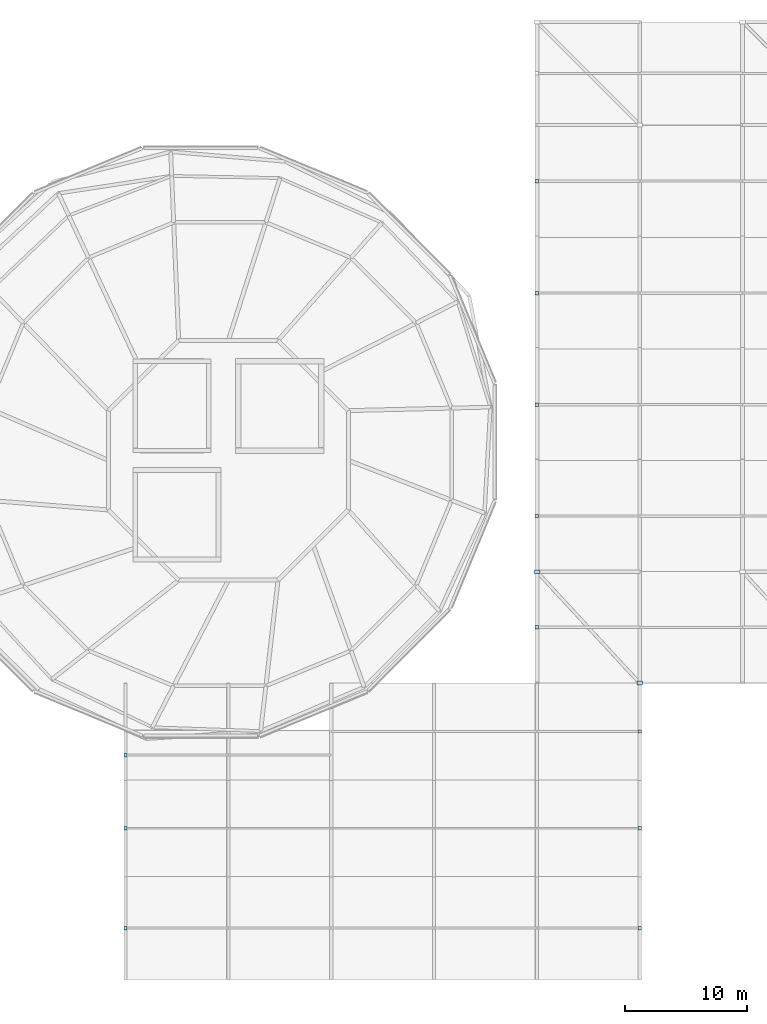
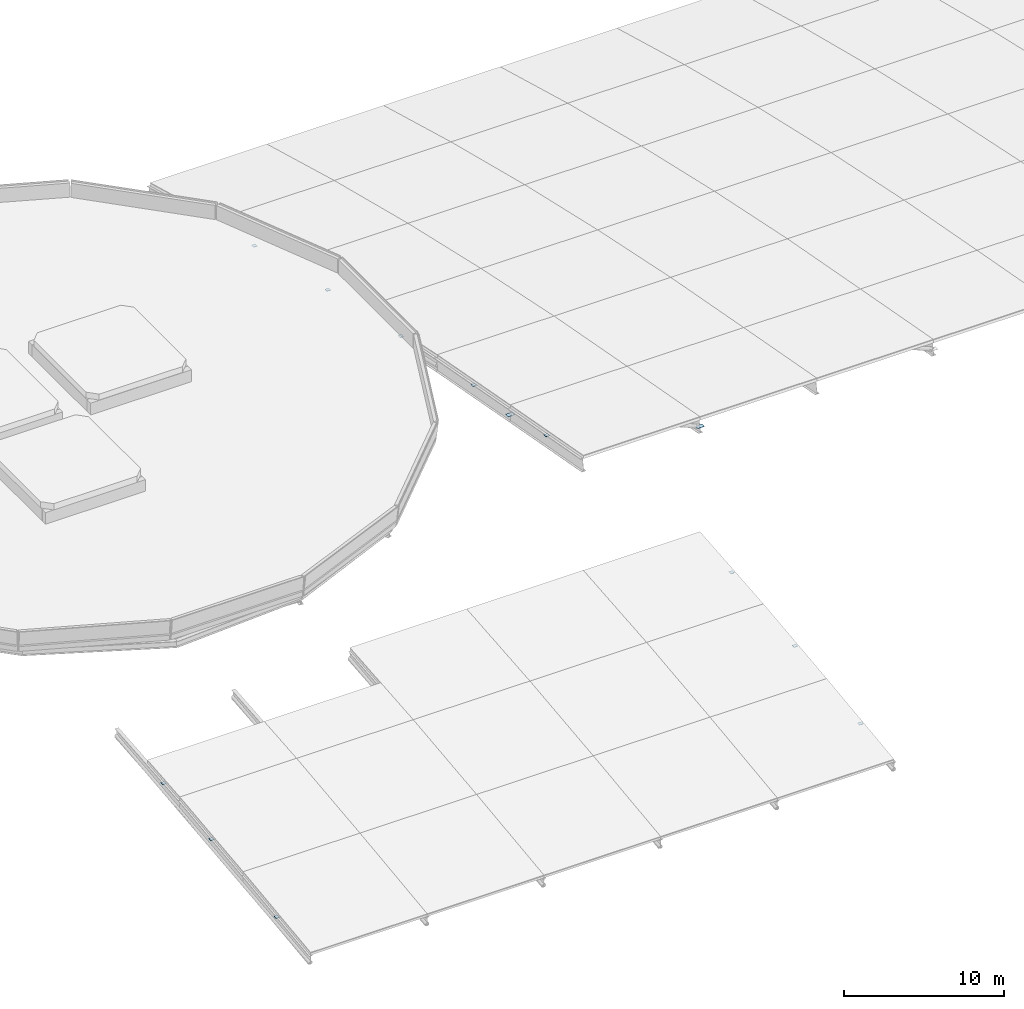
# One storey, part 7 of 12: 13 plates.
"""IFC4 building model written with IfcOpenShell, lengths in metres."""

from ifc_helpers import new_model, si_unit, derived_unit, direction, frame, origin, origin_2d, place, context, subcontext, project, spatial, rectangle, extrude, material, layer, layer_set, type_object, element, save


model = new_model("IFC4")

# Units and contexts
model_context = context("Model", 3, precision=1e-05, world=origin(), true_north=direction((0.0, 1.0)))
body_context = subcontext(model_context, "Body", "Model", "MODEL_VIEW")
ifc_project = project(units=[si_unit("LENGTHUNIT", "METRE"), si_unit("AREAUNIT", "SQUARE_METRE"), si_unit("VOLUMEUNIT", "CUBIC_METRE"), si_unit("PLANEANGLEUNIT", "RADIAN"), si_unit("MASSUNIT", "GRAM", prefix="KILO"), derived_unit("THERMALTRANSMITTANCEUNIT", [(si_unit("MASSUNIT", "GRAM", prefix="KILO"), 1), (si_unit("TIMEUNIT", "SECOND"), -3), (si_unit("THERMODYNAMICTEMPERATUREUNIT", "KELVIN"), -1)])], contexts=[model_context])

# Site, building, storey
site_placement = place(None, origin())
site = spatial("IfcSite", under=ifc_project, at=site_placement, CompositionType="ELEMENT")
building_placement = place(site_placement, origin())
building = spatial("IfcBuilding", under=site, at=building_placement, Name="Makaiwela Harbour Ferry Terminal", CompositionType="ELEMENT")
storey_placement = place(building_placement, frame((0.0, 0.0, 25.5)))
storey = spatial("IfcBuildingStorey", under=building, at=storey_placement, Name="ROOF", CompositionType="ELEMENT", Elevation=25.5)

# Plates
ifc_material = material(Name="Steel ASTM A572 Grade 50", Category="steel")
ifc_layer_1 = layer(ifc_material, 0.02001953125)
ifc_layer_set_1 = layer_set([ifc_layer_1], Name="Steel ASTM A572 Grade 50")
plate_type_1 = type_object("IfcPlateType", Name="STR-PLT-CAP1", PredefinedType="SHEET", material=ifc_layer_set_1)
for number, where, z_axis, x_axis, name in (
    (1, (63.0, 90.39990234375, -9.17822265625), (0.0, 0.0, 1.0), (0.0, 1.0, 0.0), "Welded End Cap EC-0061"),
    (2, (63.0, 81.25, -6.977294921875), (0.0, 0.0, 1.0), (0.0, 1.0, 0.0), "Welded End Cap EC-0063"),
    (3, (63.0, 72.14990234375, -4.986328125), (0.0, 0.0, 1.0), (0.0, 1.0, 0.0), "Welded End Cap EC-0065"),
    (4, (63.0, 63.050048828125, -3.185546875), (0.0, 0.0, 1.0), (0.0, 1.0, 0.0), "Welded End Cap EC-0067"),
    (5, (63.0, 53.949951171875, -1.495361328125), (0.0, 0.0, 1.0), (0.0, 1.0, 0.0), "Welded End Cap EC-0069"),
    (6, (29.39990234375, 29.39990234375, -11.497314453125), (0.0, 0.0, 1.0), (0.0, 1.0, 0.0), "Welded End Cap EC-0071"),
    (7, (71.39990234375, 29.39990234375, -11.497314453125), (0.0, 0.0, 1.0), (0.0, 1.0, 0.0), "Welded End Cap EC-0072"),
    (8, (29.39990234375, 37.550048828125, -10.522216796875), (0.0, 0.0, 1.0), (0.0, 1.0, 0.0), "Welded End Cap EC-0073"),
    (9, (71.39990234375, 37.550048828125, -10.522216796875), (0.0, 0.0, 1.0), (0.0, 1.0, 0.0), "Welded End Cap EC-0074"),
    (10, (29.39990234375, 43.52490234375, -9.892333984375), (0.0, 0.0, 1.0), (0.0, 1.0, 0.0), "Welded End Cap EC-0075"),
    (11, (71.39990234375, 45.449951171875, -9.7216796875), (0.0, 0.0, 1.0), (0.0, 1.0, 0.0), "Welded End Cap EC-0076"),
):
    element("IfcPlate", number, at=place(storey_placement, frame(where, z_axis=z_axis, x_axis=x_axis)), inside=storey, type_object=plate_type_1, Name=name, PredefinedType="SHEET", context=body_context, shape_type="SweptSolid", body=[
        extrude(rectangle(XDim=0.280029296875, YDim=0.280029296875, at=origin_2d()), origin(), (0.0, 0.0, 1.0), 0.02001953125),
    ])
ifc_layer_2 = layer(ifc_material, 0.02001953125)
ifc_layer_set_2 = layer_set([ifc_layer_2], Name="Steel ASTM A572 Grade 50")
plate_type_2 = type_object("IfcPlateType", Name="STR-PLT-GUS2", PredefinedType="USERDEFINED", material=ifc_layer_set_2)
for number, where, z_axis, x_axis, name in (
    (12, (63.0, 58.5, -2.681884765625), (0.0, 0.0, 1.0), (1.0, 0.0, 0.0), "Truss Gusset Plate GP-147"),
    (13, (71.39990234375, 49.39990234375, -1.001953125), (0.0, 0.0, 1.0), (1.0, 0.0, 0.0), "Truss Gusset Plate GP-148"),
):
    element("IfcPlate", number, at=place(storey_placement, frame(where, z_axis=z_axis, x_axis=x_axis)), inside=storey, type_object=plate_type_2, Name=name, ObjectType="GUSSET PLATE", PredefinedType="USERDEFINED", context=body_context, shape_type="SweptSolid", body=[
        extrude(rectangle(XDim=0.47998046875, YDim=0.320068359375, at=origin_2d()), origin(), (0.0, 0.0, 1.0), 0.02001953125),
    ])

save(model, "model.ifc")
